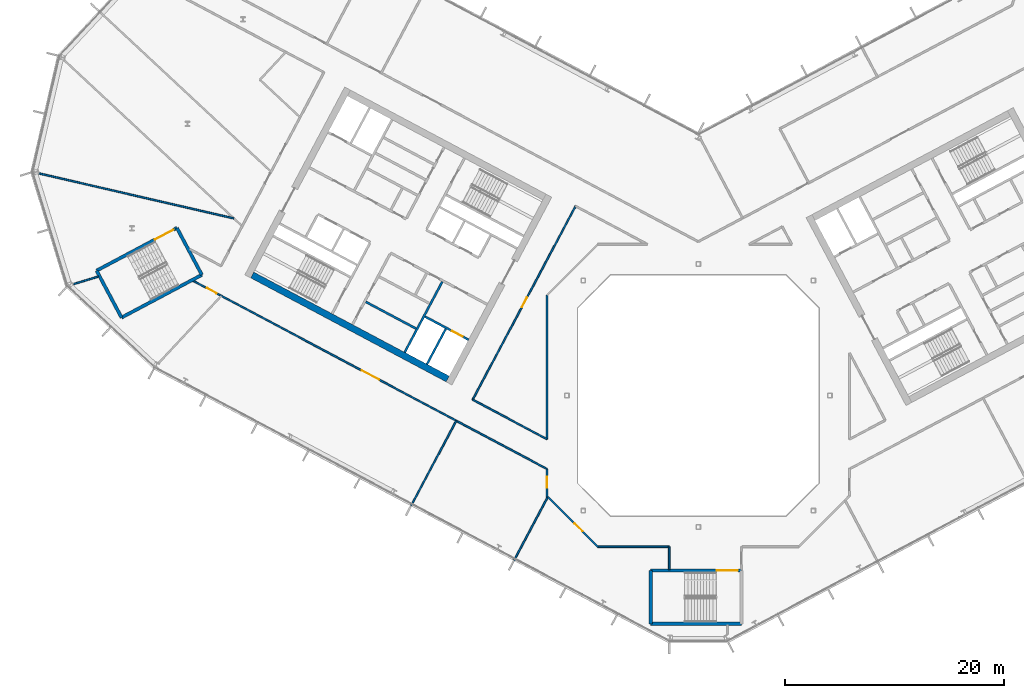
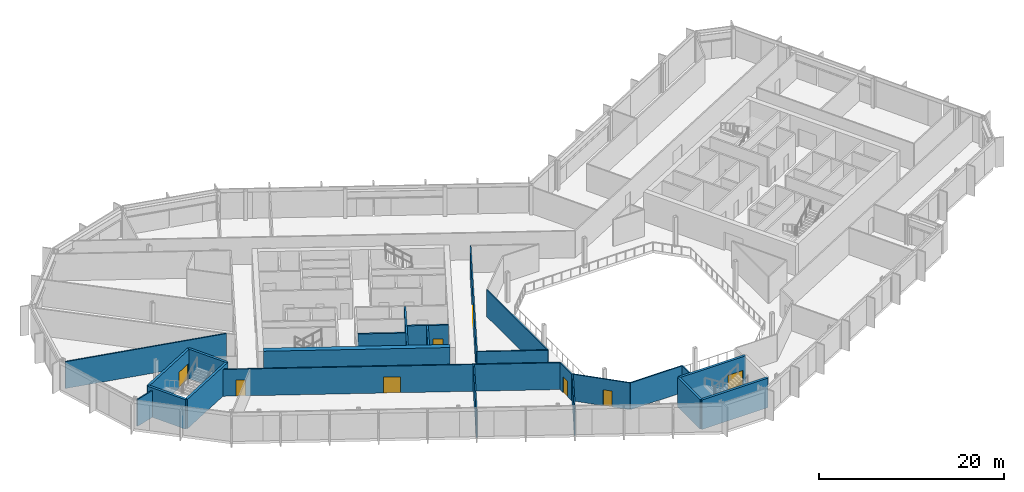
# One storey, part 12 of 26: 24 walls, 8 doors, 8 openings.
"""IFC4 building model written with IfcOpenShell, lengths in metres."""

import ifcopenshell
import ifcopenshell.guid

model = None  # the IFC model being written
_history = None  # IfcOwnerHistory: only IFC2X3 demands one
_inside = {}  # id of a spatial element -> (the spatial element, [elements in it])
_under = {}  # id of a project, library or spatial element -> (it, [spatial elements below it])
_declared = {}  # id of a project -> (the project, [libraries it declares])
_typed = {}  # id of a type object -> (the type object, [elements of that type])
_made_of = {}  # id of a material, layer set ... -> (it, [elements and type objects made of it])


def new_model(schema):
    """Start an empty IFC model of exactly this schema.

    Asked for "IFC4X3", IfcOpenShell would pick the latest addendum, in which some entities
    have other attributes; the version numbers below select the first issue.
    IFC2X3 requires an IfcOwnerHistory on every rooted entity: one is made here for all.
    """
    global model, _history
    if schema == "IFC4X3":
        model = ifcopenshell.file(schema_version=(4, 3, 0, 0))
    else:
        model = ifcopenshell.file(schema=schema)
    _inside.clear()
    _under.clear()
    _declared.clear()
    _typed.clear()
    _made_of.clear()
    _history = None
    if model.schema == "IFC2X3":
        org = make("IfcOrganization", Name="unknown")
        user = make(
            "IfcPersonAndOrganization",
            ThePerson=make("IfcPerson", FamilyName="unknown"),
            TheOrganization=org,
        )
        app = make(
            "IfcApplication",
            ApplicationDeveloper=org,
            Version="unknown",
            ApplicationFullName="unknown",
            ApplicationIdentifier="unknown",
        )
        _history = make(
            "IfcOwnerHistory",
            OwningUser=user,
            OwningApplication=app,
            ChangeAction="ADDED",
            CreationDate=0,
        )
    return model


def make(cls, **values):
    """One entity of the class cls with the attributes given. An attribute that is None is left unset."""
    return model.create_entity(
        cls, **{name: value for name, value in values.items() if value is not None}
    )


def rooted(cls, **values):
    """An entity with a GlobalId (a new one), such as an element, a storey or a relation."""
    return make(cls, GlobalId=ifcopenshell.guid.new(), OwnerHistory=_history, **values)


def si_unit(unit_type, name, prefix=None):
    """IfcSIUnit, for example si_unit("LENGTHUNIT", "METRE", prefix="MILLI")."""
    return make("IfcSIUnit", UnitType=unit_type, Prefix=prefix, Name=name)


def assignment(units):
    """IfcUnitAssignment: the units of a project."""
    return None if units is None else make("IfcUnitAssignment", Units=units)


def point(xyz):
    """IfcCartesianPoint."""
    return None if xyz is None else make("IfcCartesianPoint", Coordinates=xyz)


def direction(xyz):
    """IfcDirection."""
    return None if xyz is None else make("IfcDirection", DirectionRatios=xyz)


def frame(location, z_axis=None, x_axis=None):
    """IfcAxis2Placement3D, a coordinate frame: its origin and axes. An axis left out is left unset."""
    return make(
        "IfcAxis2Placement3D",
        Location=point(location),
        Axis=direction(z_axis),
        RefDirection=direction(x_axis),
    )


def frame_2d(location, x_axis=None):
    """IfcAxis2Placement2D, a coordinate frame in the plane: its origin and x axis."""
    return make(
        "IfcAxis2Placement2D", Location=point(location), RefDirection=direction(x_axis)
    )


def origin():
    """The frame at (0, 0, 0) with its axes left unset."""
    return frame((0.0, 0.0, 0.0))


def place(relative_to, where):
    """IfcLocalPlacement: puts the frame where relative to a parent placement (None: the world)."""
    return make(
        "IfcLocalPlacement", PlacementRelTo=relative_to, RelativePlacement=where
    )


def context(
    kind, dimensions, precision=None, world=None, true_north=None, identifier=None
):
    """IfcGeometricRepresentationContext, for example the 3D "Model" context."""
    return make(
        "IfcGeometricRepresentationContext",
        ContextIdentifier=identifier,
        ContextType=kind,
        CoordinateSpaceDimension=dimensions,
        Precision=precision,
        WorldCoordinateSystem=world,
        TrueNorth=true_north,
    )


def subcontext(parent, identifier, kind, view, scale=None):
    """IfcGeometricRepresentationSubContext, for example "Body" below "Model"."""
    return make(
        "IfcGeometricRepresentationSubContext",
        ContextIdentifier=identifier,
        ContextType=kind,
        ParentContext=parent,
        TargetScale=scale,
        TargetView=view,
    )


def project(units=None, contexts=None):
    """IfcProject with its units and contexts."""
    return rooted(
        "IfcProject",
        Name="project",
        RepresentationContexts=contexts,
        UnitsInContext=assignment(units),
    )


def spatial(cls, under=None, at=None, **own):
    """A site, building, storey or space (cls), placed at a placement, below another one or the project."""
    s = rooted(cls, ObjectPlacement=at, **own)
    if under is not None:
        _under.setdefault(under.id(), (under, []))[1].append(s)
    return s


def profile(cls, at=None, kind="AREA", **sizes):
    """A parametric profile (cls). Its sizes go by their IFC names, for example OverallWidth=200.0."""
    return make(cls, ProfileType=kind, Position=at, **sizes)


def rectangle(**sizes):
    """IfcRectangleProfileDef."""
    return profile("IfcRectangleProfileDef", **sizes)


def extrude(swept, where, along, depth):
    """IfcExtrudedAreaSolid: the profile swept, set in the frame where, extruded along a direction by depth."""
    return make(
        "IfcExtrudedAreaSolid",
        SweptArea=swept,
        Position=where,
        ExtrudedDirection=direction(along),
        Depth=depth,
    )


def shape(context_of_items, identifier, shape_type, items):
    """IfcShapeRepresentation: the items that make up one representation, for example the "Body"."""
    return make(
        "IfcShapeRepresentation",
        ContextOfItems=context_of_items,
        RepresentationIdentifier=identifier,
        RepresentationType=shape_type,
        Items=items,
    )


def material(Name=None, Category=None):
    """IfcMaterial."""
    return make("IfcMaterial", Name=Name, Category=Category)


def layer(
    of_material, thickness, ventilated=None, Name=None, Category=None, Priority=None
):
    """IfcMaterialLayer: one layer of a wall or slab, of a material (None: an air gap)."""
    return make(
        "IfcMaterialLayer",
        Material=of_material,
        LayerThickness=thickness,
        IsVentilated=ventilated,
        Name=Name,
        Category=Category,
        Priority=Priority,
    )


def layer_set(layers, Name=None):
    """IfcMaterialLayerSet."""
    return make("IfcMaterialLayerSet", MaterialLayers=layers, LayerSetName=Name)


def made_of(thing, what):
    """Note that an element or type object is made of a material, layer set ...; save() writes the relation."""
    if what is not None:
        _made_of.setdefault(what.id(), (what, []))[1].append(thing)
    return thing


def type_object(cls, material=None, **own):
    """A type object (cls), such as IfcWallType, which elements share."""
    return made_of(rooted(cls, **own), material)


def element(
    cls,
    number,
    at=None,
    inside=None,
    cuts=None,
    type_object=None,
    material=None,
    context=None,
    identifier="Body",
    shape_type=None,
    held_by="IfcProductDefinitionShape",
    body=None,
    shapes=None,
    **own,
):
    """One element of the class cls, such as IfcWall. Its Tag is "e" and its number.

    at: its placement. inside: the storey or other place that contains it. cuts: it is an
    opening in that element (IfcRelVoidsElement). A single representation is given by context,
    identifier, shape_type and body (its items); several are given by shapes. held_by: the class
    of the entity that holds the representations. save() writes the other relations.
    """
    e = rooted(cls, Tag="e%d" % number, ObjectPlacement=at, **own)
    if body is not None:
        shapes = [shape(context, identifier, shape_type, body)]
    if shapes is not None:
        e.Representation = make(held_by, Representations=shapes)
    if inside is not None:
        _inside.setdefault(inside.id(), (inside, []))[1].append(e)
    if cuts is not None:
        rooted(
            "IfcRelVoidsElement", RelatingBuildingElement=cuts, RelatedOpeningElement=e
        )
    if type_object is not None:
        _typed.setdefault(type_object.id(), (type_object, []))[1].append(e)
    return made_of(e, material)


def fill(opening, filler):
    """IfcRelFillsElement: the door or window that sits in an opening."""
    return rooted(
        "IfcRelFillsElement",
        RelatingOpeningElement=opening,
        RelatedBuildingElement=filler,
    )


def aggregate(whole, parts):
    """IfcRelAggregates: a whole, such as a stair, and the parts it consists of."""
    return rooted("IfcRelAggregates", RelatingObject=whole, RelatedObjects=parts)


def save(model, path):
    """Write the relations noted so far, then the file.

    IfcRelAggregates (storeys below a building ...), IfcRelContainedInSpatialStructure (elements
    in a storey), IfcRelDefinesByType, IfcRelAssociatesMaterial and IfcRelDeclares: one each for
    every whole, place, type object, material and project.
    """
    for whole, parts in _under.values():
        aggregate(whole, parts)
    for where, things in _inside.values():
        rooted(
            "IfcRelContainedInSpatialStructure",
            RelatedElements=things,
            RelatingStructure=where,
        )
    for kind, things in _typed.values():
        rooted("IfcRelDefinesByType", RelatedObjects=things, RelatingType=kind)
    for what, things in _made_of.values():
        rooted("IfcRelAssociatesMaterial", RelatedObjects=things, RelatingMaterial=what)
    for by, libraries in _declared.values():
        rooted("IfcRelDeclares", RelatingContext=by, RelatedDefinitions=libraries)
    model.write(path)


model = new_model("IFC4")

# Units and contexts
model_context = context("Model", 3, precision=1e-05, world=origin(), true_north=direction((0.0, 1.0)))
body_context = subcontext(model_context, "Body", "Model", "MODEL_VIEW")
ifc_project = project(units=[si_unit("LENGTHUNIT", "METRE"), si_unit("AREAUNIT", "SQUARE_METRE"), si_unit("VOLUMEUNIT", "CUBIC_METRE"), si_unit("PLANEANGLEUNIT", "RADIAN"), si_unit("MASSUNIT", "GRAM", prefix="KILO")], contexts=[model_context])

# Site, building, storey
site_placement = place(None, origin())
site = spatial("IfcSite", under=ifc_project, at=site_placement, CompositionType="ELEMENT")
building_placement = place(site_placement, origin())
building = spatial("IfcBuilding", under=site, at=building_placement, Name="Cormorant Relay Tower", CompositionType="ELEMENT")
storey_placement = place(building_placement, frame((0.0, 0.0, 193.5)))
storey = spatial("IfcBuildingStorey", under=building, at=storey_placement, Name="L41", CompositionType="ELEMENT", Elevation=193.5)

# Walls
ifc_material_1 = material(Name="Concrete 40 MPa", Category="concrete")
ifc_layer_1 = layer(ifc_material_1, 0.199951171875)
ifc_layer_set_1 = layer_set([ifc_layer_1], Name="Core internal wall 200")
wall_type_1 = type_object("IfcWallType", Name="Core internal wall 200", PredefinedType="SOLIDWALL", material=ifc_layer_set_1)
wall_1_placement = place(storey_placement, frame((-25.7490234375, 6.102783203125, 0.0), z_axis=(0.0, 0.0, 1.0), x_axis=(-0.882953967957, 0.469459572775, 0.0)))
element("IfcWall", 1, at=wall_1_placement, inside=storey, type_object=wall_type_1, Name="L41 core A shaft and room wall", PredefinedType="SOLIDWALL", context=body_context, shape_type="SweptSolid", body=[
    extrude(rectangle(XDim=5.199951171875, YDim=0.199951171875, at=frame_2d((2.60009765625, 0.0))), origin(), (0.0, 0.0, 1.0), 3.89990234375),
])
ifc_material_2 = material(Name="Concrete 50 MPa", Category="concrete")
ifc_layer_2 = layer(ifc_material_2, 0.199951171875)
ifc_layer_set_2 = layer_set([ifc_layer_2], Name="Core shaft wall 200")
wall_type_2 = type_object("IfcWallType", Name="Core shaft wall 200", PredefinedType="SHEAR", material=ifc_layer_set_2)
wall_2_placement = place(storey_placement, frame((-23.04296875, 6.07958984375, 0.0), z_axis=(0.0, 0.0, 1.0), x_axis=(-0.469494272526, -0.882935517501, 0.0)))
element("IfcWall", 2, at=wall_2_placement, inside=storey, type_object=wall_type_2, Name="L41 core A shaft wall", PredefinedType="SHEAR", context=body_context, shape_type="SweptSolid", body=[
    extrude(rectangle(XDim=3.64990234375, YDim=0.199951171875, at=frame_2d((1.824951171875, 0.0))), origin(), (0.0, 0.0, 1.0), 3.89990234375),
])
wall_3_placement = place(storey_placement, frame((-23.360107421875, 10.38232421875, 0.0), z_axis=(0.0, 0.0, 1.0), x_axis=(-0.469480409012, -0.88294288918, 0.0)))
element("IfcWall", 3, at=wall_3_placement, inside=storey, type_object=wall_type_2, Name="L41 core A shaft wall", PredefinedType="SHEAR", context=body_context, shape_type="SweptSolid", body=[
    extrude(rectangle(XDim=7.300048828125, YDim=0.199951171875, at=frame_2d((3.64990234375, 0.0))), origin(), (0.0, 0.0, 1.0), 3.89990234375),
])

# Wall, opening, door
wall_4_placement = place(storey_placement, frame((-20.96533203125, 5.088134765625, 0.0), z_axis=(0.0, 0.0, 1.0), x_axis=(-0.882925986334, 0.469512196493, 0.0)))
wall_4 = element("IfcWall", 4, at=wall_4_placement, inside=storey, type_object=wall_type_2, Name="L41 core A shaft wall", PredefinedType="SHEAR", context=body_context, shape_type="SweptSolid", body=[
    extrude(rectangle(XDim=4.5, YDim=0.199951171875, at=frame_2d((2.25, 0.0))), origin(), (0.0, 0.0, 1.0), 3.89990234375),
])
opening_1_placement = place(wall_4_placement, frame((0.60009765625, 0.0, 0.0)))
opening_1 = element("IfcOpeningElement", 5, at=opening_1_placement, cuts=wall_4, Name="Opening LD1-063", PredefinedType="OPENING", context=body_context, shape_type="SweptSolid", body=[
    extrude(rectangle(XDim=1.10009765625, YDim=2.10009765625, at=frame_2d((0.550048828125, 1.050048828125))), frame((0.0, 0.10986328125, 0.0), z_axis=(0.0, -1.0, 0.0), x_axis=(1.0, 0.0, 0.0)), (0.0, 0.0, 1.0), 0.219970703125),
])
ifc_material_3 = material(Name="Stainless steel 316", Category="steel")
door_type_1 = type_object("IfcDoorType", Name="Lift landing door 1100x2100", OperationType="DOUBLE_DOOR_SLIDING", PredefinedType="DOOR", material=ifc_material_3)
door_1_placement = place(opening_1_placement, origin())
door_1 = element("IfcDoor", 6, at=door_1_placement, inside=storey, type_object=door_type_1, Name="FF1 landing door", OperationType="DOUBLE_DOOR_SLIDING", OverallHeight=2.10009765625, OverallWidth=1.10009765625, PredefinedType="DOOR", context=body_context, shape_type="SweptSolid", body=[
    extrude(rectangle(XDim=1.10009765625, YDim=2.10009765625, at=frame_2d((0.550048828125, 1.050048828125))), frame((0.0, 0.02490234375, 0.0), z_axis=(0.0, -1.0, 0.0), x_axis=(1.0, 0.0, 0.0)), (0.0, 0.0, 1.0), 0.050048828125),
])
fill(opening_1, door_1)

# Wall
ifc_material_4 = material(Name="Concrete 50 MPa", Category="concrete")
ifc_layer_3 = layer(ifc_material_4, 0.60009765625)
ifc_layer_set_3 = layer_set([ifc_layer_3], Name="Core wall 600")
wall_type_3 = type_object("IfcWallType", Name="Core wall 600", PredefinedType="SHEAR", material=ifc_layer_set_3)
wall_5_placement = place(storey_placement, frame((-22.86669921875, 1.51220703125, 0.0), z_axis=(0.0, 0.0, 1.0), x_axis=(-0.88294509198, 0.469476266226, 0.0)))
element("IfcWall", 7, at=wall_5_placement, inside=storey, type_object=wall_type_3, Name="L41 core A wall", PredefinedType="SHEAR", context=body_context, shape_type="SweptSolid", body=[
    extrude(rectangle(XDim=20.199951171875, YDim=0.60009765625, at=frame_2d((10.10009765625, 0.0))), origin(), (0.0, 0.0, 1.0), 3.89990234375),
])

# Wall, opening, door
ifc_material_5 = material(Name="Gypsum board fire partition")
ifc_layer_4 = layer(ifc_material_5, 0.14990234375)
ifc_layer_set_4 = layer_set([ifc_layer_4], Name="Corridor partition 150 EI 60")
wall_type_4 = type_object("IfcWallType", Name="Corridor partition 150 EI 60", PredefinedType="PARTITIONING", material=ifc_layer_set_4)
wall_6_placement = place(storey_placement, frame((-13.800048828125, -9.262939453125, 0.0), z_axis=(0.0, 0.0, 1.0), x_axis=(0.0, 1.0, 0.0)))
wall_6 = element("IfcWall", 8, at=wall_6_placement, inside=storey, type_object=wall_type_4, Name="wall/L41/part/015", PredefinedType="PARTITIONING", context=body_context, shape_type="SweptSolid", body=[
    extrude(rectangle(XDim=2.556884765625, YDim=0.14990234375, at=frame_2d((1.2783203125, 0.0))), origin(), (0.0, 0.0, 1.0), 3.5400390625),
])
opening_2_placement = place(wall_6_placement, frame((0.85400390625, 0.0, 0.0)))
opening_2 = element("IfcOpeningElement", 9, at=opening_2_placement, cuts=wall_6, Name="Opening DS-115", PredefinedType="OPENING", context=body_context, shape_type="SweptSolid", body=[
    extrude(rectangle(XDim=1.0, YDim=2.10009765625, at=frame_2d((0.5, 1.050048828125))), frame((0.0, 0.0849609375, 0.0), z_axis=(0.0, -1.0, 0.0), x_axis=(1.0, 0.0, 0.0)), (0.0, 0.0, 1.0), 0.169921875),
])
ifc_material_6 = material(Name="Timber door leaf", Category="wood")
door_type_2 = type_object("IfcDoorType", Name="Suite door 1000x2100", OperationType="SINGLE_SWING_LEFT", PredefinedType="DOOR", material=ifc_material_6)
door_2_placement = place(opening_2_placement, origin())
door_2 = element("IfcDoor", 10, at=door_2_placement, inside=storey, type_object=door_type_2, Name="door/L41/010", OperationType="SINGLE_SWING_RIGHT", OverallHeight=2.10009765625, OverallWidth=1.0, PredefinedType="DOOR", context=body_context, shape_type="SweptSolid", body=[
    extrude(rectangle(XDim=1.0, YDim=2.10009765625, at=frame_2d((0.5, 1.050048828125))), frame((0.0, 0.02490234375, 0.0), z_axis=(0.0, -1.0, 0.0), x_axis=(1.0, 0.0, 0.0)), (0.0, 0.0, 1.0), 0.050048828125),
])
fill(opening_2, door_2)

# Wall, openings, doors
wall_7_placement = place(storey_placement, frame((-13.800048828125, -6.7060546875, 0.0), z_axis=(0.0, 0.0, 1.0), x_axis=(-0.882947286887, 0.469472138235, 0.0)))
wall_7 = element("IfcWall", 11, at=wall_7_placement, inside=storey, type_object=wall_type_4, Name="wall/L41/part/016", PredefinedType="PARTITIONING", context=body_context, shape_type="SweptSolid", body=[
    extrude(rectangle(XDim=36.57080078125, YDim=0.14990234375, at=frame_2d((18.285400390625, 0.0))), origin(), (0.0, 0.0, 1.0), 3.5400390625),
])
opening_3_placement = place(wall_7_placement, frame((34.14990234375, 0.0, 0.0)))
opening_3 = element("IfcOpeningElement", 12, at=opening_3_placement, cuts=wall_7, Name="Opening DS-114", PredefinedType="OPENING", context=body_context, shape_type="SweptSolid", body=[
    extrude(rectangle(XDim=1.0, YDim=2.10009765625, at=frame_2d((0.5, 1.050048828125))), frame((0.0, 0.0849609375, 0.0), z_axis=(0.0, -1.0, 0.0), x_axis=(1.0, 0.0, 0.0)), (0.0, 0.0, 1.0), 0.169921875),
])
opening_4_placement = place(wall_7_placement, frame((17.35009765625, 0.0, 0.0)))
opening_4 = element("IfcOpeningElement", 13, at=opening_4_placement, cuts=wall_7, Name="Opening DD-022", PredefinedType="OPENING", context=body_context, shape_type="SweptSolid", body=[
    extrude(rectangle(XDim=1.800048828125, YDim=2.10009765625, at=frame_2d((0.89990234375, 1.050048828125))), frame((0.0, 0.0849609375, 0.0), z_axis=(0.0, -1.0, 0.0), x_axis=(1.0, 0.0, 0.0)), (0.0, 0.0, 1.0), 0.169921875),
])
door_3_placement = place(opening_3_placement, origin())
door_3 = element("IfcDoor", 14, at=door_3_placement, inside=storey, type_object=door_type_2, Name="door/L41/008", OperationType="SINGLE_SWING_LEFT", OverallHeight=2.10009765625, OverallWidth=1.0, PredefinedType="DOOR", context=body_context, shape_type="SweptSolid", body=[
    extrude(rectangle(XDim=1.0, YDim=2.10009765625, at=frame_2d((0.5, 1.050048828125))), frame((0.0, 0.02490234375, 0.0), z_axis=(0.0, -1.0, 0.0), x_axis=(1.0, 0.0, 0.0)), (0.0, 0.0, 1.0), 0.050048828125),
])
fill(opening_3, door_3)
ifc_material_7 = material(Name="Timber door leaf", Category="wood")
door_type_3 = type_object("IfcDoorType", Name="Suite double door 1800x2100", OperationType="DOUBLE_DOOR_SINGLE_SWING", PredefinedType="DOOR", material=ifc_material_7)
door_4_placement = place(opening_4_placement, origin())
door_4 = element("IfcDoor", 15, at=door_4_placement, inside=storey, type_object=door_type_3, Name="door/L41/009", OperationType="DOUBLE_DOOR_SINGLE_SWING", OverallHeight=2.10009765625, OverallWidth=1.800048828125, PredefinedType="DOOR", context=body_context, shape_type="SweptSolid", body=[
    extrude(rectangle(XDim=1.800048828125, YDim=2.10009765625, at=frame_2d((0.89990234375, 1.050048828125))), frame((0.0, 0.02490234375, 0.0), z_axis=(0.0, -1.0, 0.0), x_axis=(1.0, 0.0, 0.0)), (0.0, 0.0, 1.0), 0.050048828125),
])
fill(opening_4, door_4)

# Wall, opening, door
wall_8_placement = place(storey_placement, frame((-13.72607421875, -9.23388671875, 0.0), z_axis=(0.0, 0.0, 1.0), x_axis=(0.707106781187, -0.707106781187, 0.0)))
wall_8 = element("IfcWall", 16, at=wall_8_placement, inside=storey, type_object=wall_type_4, Name="wall/L41/part/022", PredefinedType="PARTITIONING", context=body_context, shape_type="SweptSolid", body=[
    extrude(rectangle(XDim=6.45751953125, YDim=0.14990234375, at=frame_2d((3.228759765625, 0.0))), origin(), (0.0, 0.0, 1.0), 3.5400390625),
])
opening_5_placement = place(wall_8_placement, frame((3.449951171875, 0.0, 0.0)))
opening_5 = element("IfcOpeningElement", 17, at=opening_5_placement, cuts=wall_8, Name="Opening DS-116", PredefinedType="OPENING", context=body_context, shape_type="SweptSolid", body=[
    extrude(rectangle(XDim=1.0, YDim=2.10009765625, at=frame_2d((0.5, 1.050048828125))), frame((0.0, 0.0849609375, 0.0), z_axis=(0.0, -1.0, 0.0), x_axis=(1.0, 0.0, 0.0)), (0.0, 0.0, 1.0), 0.169921875),
])
door_5_placement = place(opening_5_placement, frame((1.0, 0.0, 0.0), z_axis=(0.0, 0.0, 1.0), x_axis=(-1.0, 0.0, 0.0)))
door_5 = element("IfcDoor", 18, at=door_5_placement, inside=storey, type_object=door_type_2, Name="door/L41/011", OperationType="SINGLE_SWING_RIGHT", OverallHeight=2.10009765625, OverallWidth=1.0, PredefinedType="DOOR", context=body_context, shape_type="SweptSolid", body=[
    extrude(rectangle(XDim=1.0, YDim=2.10009765625, at=frame_2d((0.5, 1.050048828125))), frame((0.0, 0.02490234375, 0.0), z_axis=(0.0, -1.0, 0.0), x_axis=(1.0, 0.0, 0.0)), (0.0, 0.0, 1.0), 0.050048828125),
])
fill(opening_5, door_5)

# Walls
wall_9_placement = place(storey_placement, frame((-2.64892578125, -15.875, 0.0), z_axis=(0.0, 0.0, 1.0), x_axis=(0.0, 1.0, 0.0)))
element("IfcWall", 19, at=wall_9_placement, inside=storey, type_object=wall_type_4, Name="wall/L41/part/023", PredefinedType="PARTITIONING", context=body_context, shape_type="SweptSolid", body=[
    extrude(rectangle(XDim=2.074951171875, YDim=0.14990234375, at=frame_2d((1.03759765625, 0.0))), origin(), (0.0, 0.0, 1.0), 3.5400390625),
])
wall_10_placement = place(storey_placement, frame((-2.64892578125, -13.800048828125, 0.0), z_axis=(0.0, 0.0, 1.0), x_axis=(-1.0, 0.0, 0.0)))
element("IfcWall", 20, at=wall_10_placement, inside=storey, type_object=wall_type_4, Name="wall/L41/part/024", PredefinedType="PARTITIONING", context=body_context, shape_type="SweptSolid", body=[
    extrude(rectangle(XDim=6.510986328125, YDim=0.14990234375, at=frame_2d((3.25537109375, 0.0))), origin(), (0.0, 0.0, 1.0), 3.5400390625),
])

# Wall, opening, door
wall_11_placement = place(storey_placement, frame((-20.587890625, -0.37890625, 0.0), z_axis=(0.0, 0.0, 1.0), x_axis=(0.469489882812, 0.882937851685, 0.0)))
wall_11 = element("IfcWall", 21, at=wall_11_placement, inside=storey, type_object=wall_type_4, Name="wall/L41/part/044", PredefinedType="PARTITIONING", context=body_context, shape_type="SweptSolid", body=[
    extrude(rectangle(XDim=20.000244140625, YDim=0.14990234375, at=frame_2d((10.0, 0.0))), origin(), (0.0, 0.0, 1.0), 3.5400390625),
])
opening_6_placement = place(wall_11_placement, frame((9.550048828125, 0.0, 0.0)))
opening_6 = element("IfcOpeningElement", 22, at=opening_6_placement, cuts=wall_11, Name="Opening DS-117", PredefinedType="OPENING", context=body_context, shape_type="SweptSolid", body=[
    extrude(rectangle(XDim=1.0, YDim=2.10009765625, at=frame_2d((0.5, 1.050048828125))), frame((0.0, 0.0849609375, 0.0), z_axis=(0.0, -1.0, 0.0), x_axis=(1.0, 0.0, 0.0)), (0.0, 0.0, 1.0), 0.169921875),
])
door_6_placement = place(opening_6_placement, frame((1.0, 0.0, 0.0), z_axis=(0.0, 0.0, 1.0), x_axis=(-1.0, 0.0, 0.0)))
door_6 = element("IfcDoor", 23, at=door_6_placement, inside=storey, type_object=door_type_2, Name="door/L41/012", OperationType="SINGLE_SWING_LEFT", OverallHeight=2.10009765625, OverallWidth=1.0, PredefinedType="DOOR", context=body_context, shape_type="SweptSolid", body=[
    extrude(rectangle(XDim=1.0, YDim=2.10009765625, at=frame_2d((0.5, 1.050048828125))), frame((0.0, 0.02490234375, 0.0), z_axis=(0.0, -1.0, 0.0), x_axis=(1.0, 0.0, 0.0)), (0.0, 0.0, 1.0), 0.050048828125),
])
fill(opening_6, door_6)

# Walls
wall_12_placement = place(storey_placement, frame((-13.800048828125, 9.159912109375, 0.0), z_axis=(0.0, 0.0, 1.0), x_axis=(0.0, -1.0, 0.0)))
element("IfcWall", 24, at=wall_12_placement, inside=storey, type_object=wall_type_4, Name="wall/L41/part/048", PredefinedType="PARTITIONING", context=body_context, shape_type="SweptSolid", body=[
    extrude(rectangle(XDim=13.14794921875, YDim=0.14990234375, at=frame_2d((6.573974609375, 0.0))), origin(), (0.0, 0.0, 1.0), 3.5400390625),
])
wall_13_placement = place(storey_placement, frame((-13.800048828125, -3.988037109375, 0.0), z_axis=(0.0, 0.0, 1.0), x_axis=(-0.882949137368, 0.469468657976, 0.0)))
element("IfcWall", 25, at=wall_13_placement, inside=storey, type_object=wall_type_4, Name="wall/L41/part/049", PredefinedType="PARTITIONING", context=body_context, shape_type="SweptSolid", body=[
    extrude(rectangle(XDim=7.687744140625, YDim=0.14990234375, at=frame_2d((3.84375, 0.0))), origin(), (0.0, 0.0, 1.0), 3.5400390625),
])
ifc_material_8 = material(Name="Concrete 50 MPa", Category="concrete")
ifc_layer_5 = layer(ifc_material_8, 0.300048828125)
ifc_layer_set_5 = layer_set([ifc_layer_5], Name="Remote stair wall 300")
wall_type_5 = type_object("IfcWallType", Name="Remote stair wall 300", PredefinedType="SHEAR", material=ifc_layer_set_5)
wall_14_placement = place(storey_placement, frame((3.949951171875, -20.824951171875, 0.0), z_axis=(0.0, 0.0, 1.0), x_axis=(-1.0, 0.0, 0.0)))
element("IfcWall", 26, at=wall_14_placement, inside=storey, type_object=wall_type_5, Name="L41 exit stair RK1 wall", PredefinedType="SHEAR", context=body_context, shape_type="SweptSolid", body=[
    extrude(rectangle(XDim=8.300048828125, YDim=0.300048828125, at=frame_2d((4.14990234375, 0.0))), origin(), (0.0, 0.0, 1.0), 3.89990234375),
])
wall_15_placement = place(storey_placement, frame((-4.35009765625, -20.824951171875, 0.0), z_axis=(0.0, 0.0, 1.0), x_axis=(0.0, 1.0, 0.0)))
element("IfcWall", 27, at=wall_15_placement, inside=storey, type_object=wall_type_5, Name="L41 exit stair RK1 wall", PredefinedType="SHEAR", context=body_context, shape_type="SweptSolid", body=[
    extrude(rectangle(XDim=4.849853515625, YDim=0.300048828125, at=frame_2d((2.4248046875, 0.0))), origin(), (0.0, 0.0, 1.0), 3.89990234375),
])

# Wall, opening, door
wall_16_placement = place(storey_placement, frame((-4.35009765625, -15.97509765625, 0.0), z_axis=(0.0, 0.0, 1.0), x_axis=(1.0, 0.0, 0.0)))
wall_16 = element("IfcWall", 28, at=wall_16_placement, inside=storey, type_object=wall_type_5, Name="L41 exit stair RK1 wall", PredefinedType="SHEAR", context=body_context, shape_type="SweptSolid", body=[
    extrude(rectangle(XDim=8.300048828125, YDim=0.300048828125, at=frame_2d((4.14990234375, 0.0))), origin(), (0.0, 0.0, 1.0), 3.89990234375),
])
opening_7_placement = place(wall_16_placement, frame((6.050048828125, 0.0, 0.0)))
opening_7 = element("IfcOpeningElement", 29, at=opening_7_placement, cuts=wall_16, Name="Opening CDE-014", PredefinedType="OPENING", context=body_context, shape_type="SweptSolid", body=[
    extrude(rectangle(XDim=1.89990234375, YDim=2.10009765625, at=frame_2d((0.949951171875, 1.050048828125))), frame((0.0, 0.159912109375, 0.0), z_axis=(0.0, -1.0, 0.0), x_axis=(1.0, 0.0, 0.0)), (0.0, 0.0, 1.0), 0.320068359375),
])
ifc_material_9 = material(Name="Steel fire door", Category="steel")
door_type_4 = type_object("IfcDoorType", Name="Remote stair door 1900x2100", OperationType="DOUBLE_DOOR_SINGLE_SWING", PredefinedType="DOOR", material=ifc_material_9)
door_7_placement = place(opening_7_placement, frame((1.89990234375, 0.0, 0.0), z_axis=(0.0, 0.0, 1.0), x_axis=(-1.0, 0.0, 0.0)))
door_7 = element("IfcDoor", 30, at=door_7_placement, inside=storey, type_object=door_type_4, Name="Exit stair RK1 door", OperationType="DOUBLE_DOOR_SINGLE_SWING", OverallHeight=2.10009765625, OverallWidth=1.89990234375, PredefinedType="DOOR", context=body_context, shape_type="SweptSolid", body=[
    extrude(rectangle(XDim=1.89990234375, YDim=2.10009765625, at=frame_2d((0.949951171875, 1.050048828125))), frame((0.0, 0.02490234375, 0.0), z_axis=(0.0, -1.0, 0.0), x_axis=(1.0, 0.0, 0.0)), (0.0, 0.0, 1.0), 0.050048828125),
])
fill(opening_7, door_7)

# Walls
wall_17_placement = place(storey_placement, frame((-47.57421875, 15.28955078125, 0.0), z_axis=(0.0, 0.0, 1.0), x_axis=(0.469443498566, -0.882962514297, 0.0)))
element("IfcWall", 31, at=wall_17_placement, inside=storey, type_object=wall_type_5, Name="L41 exit stair RP1 wall", PredefinedType="SHEAR", context=body_context, shape_type="SweptSolid", body=[
    extrude(rectangle(XDim=4.85009765625, YDim=0.300048828125, at=frame_2d((2.425048828125, 0.0))), origin(), (0.0, 0.0, 1.0), 3.89990234375),
])
wall_18_placement = place(storey_placement, frame((-45.29736328125, 11.007080078125, 0.0), z_axis=(0.0, 0.0, 1.0), x_axis=(-0.882951519127, -0.469464178475, 0.0)))
element("IfcWall", 32, at=wall_18_placement, inside=storey, type_object=wall_type_5, Name="L41 exit stair RP1 wall", PredefinedType="SHEAR", context=body_context, shape_type="SweptSolid", body=[
    extrude(rectangle(XDim=8.2998046875, YDim=0.300048828125, at=frame_2d((4.14990234375, 0.0))), origin(), (0.0, 0.0, 1.0), 3.89990234375),
])
wall_19_placement = place(storey_placement, frame((-52.625732421875, 7.110595703125, 0.0), z_axis=(0.0, 0.0, 1.0), x_axis=(-0.469464364128, 0.882951420416, 0.0)))
element("IfcWall", 33, at=wall_19_placement, inside=storey, type_object=wall_type_5, Name="L41 exit stair RP1 wall", PredefinedType="SHEAR", context=body_context, shape_type="SweptSolid", body=[
    extrude(rectangle(XDim=4.849853515625, YDim=0.300048828125, at=frame_2d((2.4248046875, 0.0))), origin(), (0.0, 0.0, 1.0), 3.89990234375),
])

# Wall, opening, door
wall_20_placement = place(storey_placement, frame((-54.902587890625, 11.392822265625, 0.0), z_axis=(0.0, 0.0, 1.0), x_axis=(0.882939326045, 0.469487110071, 0.0)))
wall_20 = element("IfcWall", 34, at=wall_20_placement, inside=storey, type_object=wall_type_5, Name="L41 exit stair RP1 wall", PredefinedType="SHEAR", context=body_context, shape_type="SweptSolid", body=[
    extrude(rectangle(XDim=8.300048828125, YDim=0.300048828125, at=frame_2d((4.14990234375, 0.0))), origin(), (0.0, 0.0, 1.0), 3.89990234375),
])
opening_8_placement = place(wall_20_placement, frame((6.050048828125, 0.0, 0.0)))
opening_8 = element("IfcOpeningElement", 35, at=opening_8_placement, cuts=wall_20, Name="Opening CDE-015", PredefinedType="OPENING", context=body_context, shape_type="SweptSolid", body=[
    extrude(rectangle(XDim=1.89990234375, YDim=2.10009765625, at=frame_2d((0.949951171875, 1.050048828125))), frame((0.0, 0.159912109375, 0.0), z_axis=(0.0, -1.0, 0.0), x_axis=(1.0, 0.0, 0.0)), (0.0, 0.0, 1.0), 0.320068359375),
])
door_8_placement = place(opening_8_placement, frame((1.89990234375, 0.0, 0.0), z_axis=(0.0, 0.0, 1.0), x_axis=(-1.0, 0.0, 0.0)))
door_8 = element("IfcDoor", 36, at=door_8_placement, inside=storey, type_object=door_type_4, Name="Exit stair RP1 door", OperationType="DOUBLE_DOOR_SINGLE_SWING", OverallHeight=2.10009765625, OverallWidth=1.89990234375, PredefinedType="DOOR", context=body_context, shape_type="SweptSolid", body=[
    extrude(rectangle(XDim=1.89990234375, YDim=2.10009765625, at=frame_2d((0.949951171875, 1.050048828125))), frame((0.0, 0.02490234375, 0.0), z_axis=(0.0, -1.0, 0.0), x_axis=(1.0, 0.0, 0.0)), (0.0, 0.0, 1.0), 0.050048828125),
])
fill(opening_8, door_8)

# Walls
ifc_material_10 = material(Name="Gypsum board partition")
ifc_layer_6 = layer(ifc_material_10, 0.14990234375)
ifc_layer_set_6 = layer_set([ifc_layer_6], Name="Tenant partition 150")
wall_type_6 = type_object("IfcWallType", Name="Tenant partition 150", PredefinedType="PARTITIONING", material=ifc_layer_set_6)
wall_21_placement = place(storey_placement, frame((-60.162109375, 20.264892578125, 0.0), z_axis=(0.0, 0.0, 1.0), x_axis=(0.974367298847, -0.224963034603, 0.0)))
element("IfcWall", 37, at=wall_21_placement, inside=storey, type_object=wall_type_6, Name="wall/L41/part/001", PredefinedType="PARTITIONING", context=body_context, shape_type="SweptSolid", body=[
    extrude(rectangle(XDim=18.256103515625, YDim=0.14990234375, at=frame_2d((9.1279296875, 0.0))), origin(), (0.0, 0.0, 1.0), 3.5400390625),
])
wall_22_placement = place(storey_placement, frame((-54.73193359375, 10.85693359375, 0.0), z_axis=(0.0, 0.0, 1.0), x_axis=(-0.956308315689, -0.292360061129, 0.0)))
element("IfcWall", 38, at=wall_22_placement, inside=storey, type_object=wall_type_6, Name="wall/L41/part/004", PredefinedType="PARTITIONING", context=body_context, shape_type="SweptSolid", body=[
    extrude(rectangle(XDim=2.36669921875, YDim=0.14990234375, at=frame_2d((1.183349609375, 0.0))), origin(), (0.0, 0.0, 1.0), 3.5400390625),
])
wall_23_placement = place(storey_placement, frame((-22.0830078125, -2.302001953125, 0.0), z_axis=(0.0, 0.0, 1.0), x_axis=(-0.469445946219, -0.882961212952, 0.0)))
element("IfcWall", 39, at=wall_23_placement, inside=storey, type_object=wall_type_6, Name="wall/L41/part/010", PredefinedType="PARTITIONING", context=body_context, shape_type="SweptSolid", body=[
    extrude(rectangle(XDim=8.800048828125, YDim=0.14990234375, at=frame_2d((4.39990234375, 0.0))), origin(), (0.0, 0.0, 1.0), 3.5400390625),
])
wall_24_placement = place(storey_placement, frame((-13.72607421875, -9.23388671875, 0.0), z_axis=(0.0, 0.0, 1.0), x_axis=(-0.469465185833, -0.882950983515, 0.0)))
element("IfcWall", 40, at=wall_24_placement, inside=storey, type_object=wall_type_6, Name="wall/L41/part/021", PredefinedType="PARTITIONING", context=body_context, shape_type="SweptSolid", body=[
    extrude(rectangle(XDim=6.60302734375, YDim=0.14990234375, at=frame_2d((3.301513671875, 0.0))), origin(), (0.0, 0.0, 1.0), 3.5400390625),
])

save(model, "model.ifc")
